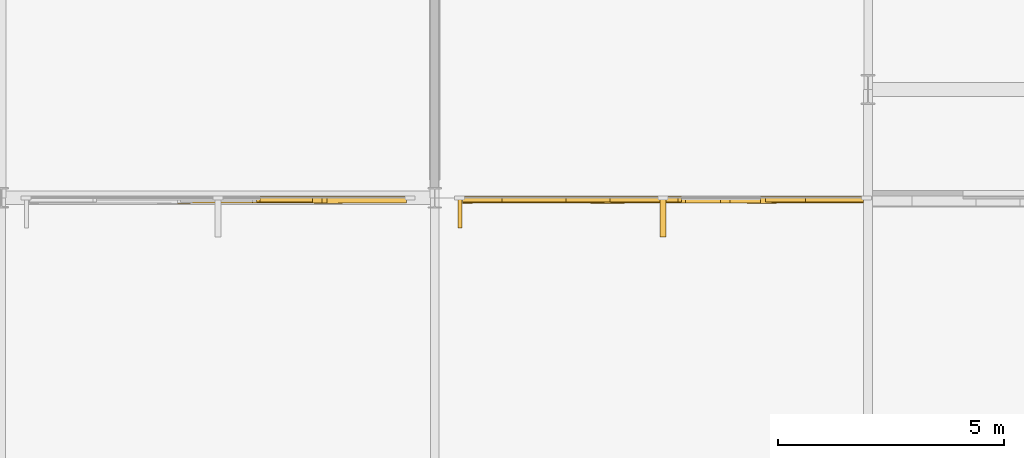
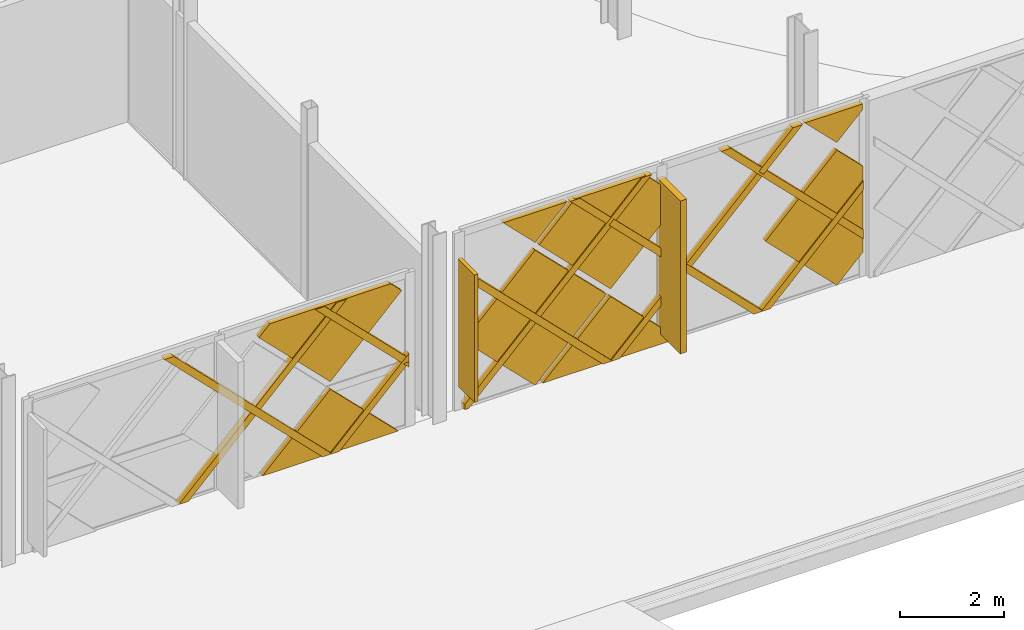
# One storey, part 82 of 101: 19 coverings, 1 shading device.
"""IFC4 building model written with IfcOpenShell, lengths in metres."""

from ifc_helpers import new_model, si_unit, direction, frame, origin, origin_2d, place, context, subcontext, project, spatial, polyline, rectangle, outline, extrude, material, layer, layer_set, type_object, element, save


model = new_model("IFC4")

# Units and contexts
model_context = context("Model", 3, precision=1e-05, world=origin(), true_north=direction((0.0, 1.0)))
body_context = subcontext(model_context, "Body", "Model", "MODEL_VIEW")
ifc_project = project(units=[si_unit("LENGTHUNIT", "METRE"), si_unit("AREAUNIT", "SQUARE_METRE"), si_unit("VOLUMEUNIT", "CUBIC_METRE"), si_unit("PLANEANGLEUNIT", "RADIAN"), si_unit("MASSUNIT", "GRAM", prefix="KILO")], contexts=[model_context])

# Site, building, storey
site_placement = place(None, origin())
site = spatial("IfcSite", under=ifc_project, at=site_placement, CompositionType="ELEMENT")
building_placement = place(site_placement, origin())
building = spatial("IfcBuilding", under=site, at=building_placement, Name="Zevrakil Square Congress Hotel", CompositionType="ELEMENT")
storey_placement = place(building_placement, frame((0.0, 0.0, 5.39990234375)))
storey = spatial("IfcBuildingStorey", under=building, at=storey_placement, Name="L02", CompositionType="ELEMENT", Elevation=5.39990234375)

# Coverings
ifc_material_1 = material(Name="Architectural White Fibre-C GRC", Category="concrete")
ifc_layer_1 = layer(ifc_material_1, 0.06494140625)
ifc_layer_set_1 = layer_set([ifc_layer_1], Name="Architectural White Fibre-C GRC")
covering_type_1 = type_object("IfcCoveringType", Name="COV-DIA-WHITE", PredefinedType="CLADDING", material=ifc_layer_set_1)
covering_1_placement = place(storey_placement, frame((115.239990234375, 7.10595703125, 1.590087890625), z_axis=(0.0, -0.999999790873, 0.000646725815), x_axis=(0.707106707249, -0.000457304257, -0.707106707249)))
element("IfcCovering", 1, at=covering_1_placement, inside=storey, type_object=covering_type_1, Name="L02 45-degree white GRC diamond facade cassette 202", PredefinedType="CLADDING", context=body_context, shape_type="SweptSolid", body=[
    extrude(outline(polyline([(0.0, 0.0), (2.1354765131557993, 0.0), (4.465861884739297e-07, -2.1354765131557527), (0.0, 0.0)])), origin(), (0.0, 0.0, -1.0), 0.1201171875),
])
covering_2_placement = place(storey_placement, frame((116.830078125, 7.10693359375, 3.360107421875), z_axis=(0.0, -0.999999832181, 0.000579342815), x_axis=(-0.707106746172, -0.000409657254, -0.707106697535)))
element("IfcCovering", 2, at=covering_2_placement, inside=storey, type_object=covering_type_1, Name="L02 45-degree white GRC diamond facade cassette 205", PredefinedType="CLADDING", context=body_context, shape_type="SweptSolid", body=[
    extrude(outline(polyline([(0.0, 0.0), (2.2487239716396576, -2.220446049250313e-16), (2.2487237489345504, -2.248723971639647), (1.9022482605454791, -2.248551391947205), (0.00017254537882177567, -0.3464754884061615), (0.0, 0.0)])), origin(), (0.0, 0.0, -1.0), 0.1201171875),
])
covering_3_placement = place(storey_placement, frame((121.47998046875, 7.10595703125, 1.590087890625), z_axis=(0.0, -0.999999790873, 0.000646725815), x_axis=(0.707106707249, -0.000457304257, -0.707106707249)))
element("IfcCovering", 3, at=covering_3_placement, inside=storey, type_object=covering_type_1, Name="L02 45-degree white GRC diamond facade cassette 225", PredefinedType="CLADDING", context=body_context, shape_type="SweptSolid", body=[
    extrude(outline(polyline([(0.0, 0.0), (2.1354765131557993, 0.0), (4.465861884739297e-07, -2.1354765131557527), (0.0, 0.0)])), origin(), (0.0, 0.0, -1.0), 0.1201171875),
])
covering_4_placement = place(storey_placement, frame((119.800048828125, 7.10693359375, 3.27001953125), z_axis=(0.0, -0.999999812555, 0.000612281941), x_axis=(0.707106714489, -0.000432948753, -0.707106715341)))
element("IfcCovering", 4, at=covering_4_placement, inside=storey, type_object=covering_type_1, Name="L02 45-degree white GRC diamond facade cassette 226", PredefinedType="CLADDING", context=body_context, shape_type="SweptSolid", body=[
    extrude(outline(polyline([(0.0, 0.0), (2.2483788053823686, 2.220446049250313e-16), (2.2485518630143098, -2.2485514388251864), (0.013983735657622232, -2.2485514362281265), (-0.00017220932723183147, -2.23439549391379), (0.0, 0.0)])), origin(), (0.0, 0.0, -1.0), 0.1201171875),
])
covering_5_placement = place(storey_placement, frame((126.52001953125, 7.10498046875, 0.090087890625), z_axis=(7.8878594e-05, -0.999999809309, 0.00061250345), x_axis=(-0.707106711163, 0.000377329813, 0.707106750534)))
element("IfcCovering", 5, at=covering_5_placement, inside=storey, type_object=covering_type_1, Name="L02 45-degree white GRC diamond facade cassette 227", PredefinedType="CLADDING", context=body_context, shape_type="SweptSolid", body=[
    extrude(outline(polyline([(0.0, 0.0), (2.2487240686890764, 2.220446049250313e-16), (2.2485518662933277, -2.248551435547972), (1.4326859514204437, -2.2485514894073853), (2.069559264517018e-07, -0.8158660220454685), (0.0, 0.0)])), origin(), (0.0, 0.0, -1.0), 0.1201171875),
])
covering_6_placement = place(storey_placement, frame((123.070068359375, 7.10693359375, 3.360107421875), z_axis=(0.0, -0.999999862226, 0.000524926144), x_axis=(-0.707106744411, -0.000371178855, -0.707106720541)))
element("IfcCovering", 6, at=covering_6_placement, inside=storey, type_object=covering_type_1, Name="L02 45-degree white GRC diamond facade cassette 228", PredefinedType="CLADDING", context=body_context, shape_type="SweptSolid", body=[
    extrude(outline(polyline([(0.0, 0.0), (2.2487239772390577, 2.220446049250313e-16), (2.2487237433351512, -2.2487239772390453), (1.1172837367417574, -2.248724021693268), (-1.621424050579634e-07, -1.1314400065933832), (0.0, 0.0)])), origin(), (0.0, 0.0, -1.0), 0.1201171875),
])
covering_7_placement = place(storey_placement, frame((119.800048828125, 7.107177734375, 3.4501953125), z_axis=(0.0, -0.999999940874, 0.000343878934), x_axis=(-0.707106760282, 0.000243159134, 0.707106760282)))
element("IfcCovering", 7, at=covering_7_placement, inside=storey, type_object=covering_type_1, Name="L02 45-degree white GRC diamond facade cassette 229", PredefinedType="CLADDING", context=body_context, shape_type="SweptSolid", body=[
    extrude(outline(polyline([(0.0, 0.0), (1.0040364162501292, 0.0), (5.936502278647282e-08, -1.0040364162501274), (0.0, 0.0)])), origin(), (0.0, 0.0, -1.0), 0.1201171875),
])
covering_8_placement = place(storey_placement, frame((126.52001953125, 7.107177734375, 3.4501953125), z_axis=(3.2799901e-05, -0.999999949146, 0.000317226198), x_axis=(-0.707106759528, 0.000201119772, 0.707106774243)))
element("IfcCovering", 8, at=covering_8_placement, inside=storey, type_object=covering_type_1, Name="L02 45-degree white GRC diamond facade cassette 230", PredefinedType="CLADDING", context=body_context, shape_type="SweptSolid", body=[
    extrude(outline(polyline([(0.0, 0.0), (1.0040364153629082, 1.1102230246251565e-16), (0.09408530953454114, -0.9099511605922328), (5.759058119281235e-08, -0.8158659162685458), (0.0, 0.0)])), origin(), (0.0, 0.0, -1.0), 0.1201171875),
])
ifc_material_2 = material(Name="Anodised Champagne Aluminium", Category="aluminium")
ifc_layer_2 = layer(ifc_material_2, 0.0849609375)
ifc_layer_set_2 = layer_set([ifc_layer_2], Name="Anodised Champagne Aluminium")
covering_type_2 = type_object("IfcCoveringType", Name="COV-DIAGRID-45", PredefinedType="MOLDING", material=ifc_layer_set_2)
covering_9_placement = place(storey_placement, frame((112.066162109375, 7.080078125, 0.080078125), z_axis=(0.0, -0.999999805714, 0.000623354914), x_axis=(-1.0, 0.0, 0.0)))
element("IfcCovering", 9, at=covering_9_placement, inside=storey, type_object=covering_type_2, Name="L02 45-degree aluminium diagrid rib 207", PredefinedType="MOLDING", context=body_context, shape_type="SweptSolid", body=[
    extrude(outline(polyline([(0.0, 0.0), (0.212158203125, 0.0), (-3.312744140625, -3.5249030285882292), (-3.52490234375, -3.5249030285882292), (0.0, 0.0)])), origin(), (0.0, 0.0, -1.0), 0.14501953125),
])
covering_10_placement = place(storey_placement, frame((115.426025390625, 7.080078125, 0.080078125), z_axis=(0.000294139249, -0.999999913482, 0.000294139249), x_axis=(-0.999999956741, -0.000294139237, 8.6518e-08)))
element("IfcCovering", 10, at=covering_10_placement, inside=storey, type_object=covering_type_2, Name="L02 45-degree aluminium diagrid rib 208", PredefinedType="MOLDING", context=body_context, shape_type="SweptSolid", body=[
    extrude(outline(polyline([(0.0, 0.0), (0.2121581939472589, 0.0), (-1.553955145347468, -1.7661134920951609), (-1.5539551637029505, -1.5539552981479028), (0.0, 0.0)])), origin(), (0.0, 0.0, -1.0), 0.14501953125),
])
covering_11_placement = place(storey_placement, frame((111.52880859375, 7.082275390625, 3.60498046875), z_axis=(0.0, -0.999999805714, 0.000623354914), x_axis=(1.0, 0.0, 0.0)))
element("IfcCovering", 11, at=covering_11_placement, inside=storey, type_object=covering_type_2, Name="L02 45-degree aluminium diagrid rib 210", PredefinedType="MOLDING", context=body_context, shape_type="SweptSolid", body=[
    extrude(outline(polyline([(0.0, 0.0), (0.21240234375, 0.0), (3.7373046875, -3.524903028588229), (3.525146484375, -3.524903028588229), (0.0, 0.0)])), origin(), (0.0, 0.0, -1.0), 0.14501953125),
])
covering_12_placement = place(storey_placement, frame((114.888916015625, 7.082275390625, 3.60498046875), z_axis=(0.000236587851, -0.999999555129, 0.000913108865), x_axis=(0.999999972013, 0.000236587752, -2.1603e-07)))
element("IfcCovering", 12, at=covering_12_placement, inside=storey, type_object=covering_type_2, Name="L02 45-degree aluminium diagrid rib 211", PredefinedType="MOLDING", context=body_context, shape_type="SweptSolid", body=[
    extrude(outline(polyline([(0.0, 0.0), (0.21215819718734832, -5.6157808774107894e-24), (2.091064511647426, -1.878662440825683), (2.091064499772122, -2.0910649189555177), (0.0, 0.0)])), origin(), (0.0, 0.0, -1.0), 0.14501953125),
])
covering_13_placement = place(storey_placement, frame((118.30615234375, 7.080078125, 0.080078125), z_axis=(0.000179545795, -0.999999893832, 0.000424380971), x_axis=(-0.999999983882, -0.000179545779, 7.6196e-08)))
element("IfcCovering", 13, at=covering_13_placement, inside=storey, type_object=covering_type_2, Name="L02 45-degree aluminium diagrid rib 231", PredefinedType="MOLDING", context=body_context, shape_type="SweptSolid", body=[
    extrude(outline(polyline([(0.0, 0.0), (0.08618163923589447, -1.1406045165281983e-24), (0.08618164885338447, -0.1262206917588748), (-3.8676758463687504, -4.080078793676924), (-4.079834046074112, -4.080078793676924), (0.0, 0.0)])), origin(), (0.0, 0.0, -1.0), 0.14501953125),
])
covering_14_placement = place(storey_placement, frame((121.666015625, 7.080078125, 0.080078125), z_axis=(0.0, -0.999999820975, 0.00059837232), x_axis=(-1.0, 0.0, 0.0)))
element("IfcCovering", 14, at=covering_14_placement, inside=storey, type_object=covering_type_2, Name="L02 45-degree aluminium diagrid rib 232", PredefinedType="MOLDING", context=body_context, shape_type="SweptSolid", body=[
    extrude(outline(polyline([(0.0, 0.0), (0.212158203125, 0.0), (-3.867919921875, -4.080078855435026), (-4.080078125, -4.080078855435026), (0.0, 0.0)])), origin(), (0.0, 0.0, -1.0), 0.14501953125),
])
covering_15_placement = place(storey_placement, frame((125.026123046875, 7.080078125, 0.080078125), z_axis=(0.000280532419, -0.999999921392, 0.000280209968), x_axis=(-0.999999960651, -0.000280532408, 7.8608e-08)))
element("IfcCovering", 15, at=covering_15_placement, inside=storey, type_object=covering_type_2, Name="L02 45-degree aluminium diagrid rib 233", PredefinedType="MOLDING", context=body_context, shape_type="SweptSolid", body=[
    extrude(outline(polyline([(0.0, 0.0), (0.2121581947767402, 0.0), (-2.0708008627343983, -2.2832033774173444), (-2.0708008794309185, -2.070801042006009), (0.0, 0.0)])), origin(), (0.0, 0.0, -1.0), 0.14501953125),
])
covering_16_placement = place(storey_placement, frame((118.219970703125, 7.081787109375, 3.154052734375), z_axis=(0.000287477056, -0.99999958606, 0.000863270454), x_axis=(8.2643e-08, 0.000863270513, 0.999999627382)))
element("IfcCovering", 16, at=covering_16_placement, inside=storey, type_object=covering_type_2, Name="L02 45-degree aluminium diagrid rib 234", PredefinedType="MOLDING", context=body_context, shape_type="SweptSolid", body=[
    extrude(outline(polyline([(0.0, 0.0), (0.21215833483042407, 1.3234889800848443e-23), (-3.0739746676964605, -3.286133202330571), (-3.073974685229852, -3.0739750079722734), (0.0, 0.0)])), origin(), (0.0, 0.0, -1.0), 0.14501953125),
])
covering_17_placement = place(storey_placement, frame((120.573974609375, 7.08251953125, 4.16015625), z_axis=(0.0, -0.999999820975, 0.00059837232), x_axis=(1.0, 0.0, 0.0)))
element("IfcCovering", 17, at=covering_17_placement, inside=storey, type_object=covering_type_2, Name="L02 45-degree aluminium diagrid rib 235", PredefinedType="MOLDING", context=body_context, shape_type="SweptSolid", body=[
    extrude(outline(polyline([(0.0, 0.0), (0.212158203125, 0.0), (4.292236328125, -4.080078855435026), (4.079833984375, -4.080078855435026), (0.0, 0.0)])), origin(), (0.0, 0.0, -1.0), 0.14501953125),
])
covering_18_placement = place(storey_placement, frame((123.933837890625, 7.08251953125, 4.16015625), z_axis=(0.000275888991, -0.999999579254, 0.000874858511), x_axis=(0.999999961943, 0.000275888885, -2.41364e-07)))
element("IfcCovering", 18, at=covering_18_placement, inside=storey, type_object=covering_type_2, Name="L02 45-degree aluminium diagrid rib 236", PredefinedType="MOLDING", context=body_context, shape_type="SweptSolid", body=[
    extrude(outline(polyline([(0.0, 0.0), (0.21215819505081712, 0.0), (3.163086057878732, -2.950928100207561), (3.1630860417303657, -3.1630864357305026), (0.0, 0.0)])), origin(), (0.0, 0.0, -1.0), 0.14501953125),
])
ifc_material_3 = material(Name="Architectural White Fibre-C GRC", Category="concrete")
ifc_layer_3 = layer(ifc_material_3, 0.139892578125)
ifc_layer_set_3 = layer_set([ifc_layer_3], Name="Architectural White Fibre-C GRC")
covering_type_3 = type_object("IfcCoveringType", Name="COV-FIN-GRC90", PredefinedType="MOLDING", material=ifc_layer_set_3)
covering_19_placement = place(storey_placement, frame((122.658447265625, 6.780029296875, 0.320068359375), z_axis=(0.0, 0.0, 1.0), x_axis=(0.0, -1.0, 0.0)))
element("IfcCovering", 19, at=covering_19_placement, inside=storey, type_object=covering_type_3, Name="L02 highland sun-breaker GRC fin 237", PredefinedType="MOLDING", context=body_context, shape_type="SweptSolid", body=[
    extrude(rectangle(XDim=0.89990234375, YDim=0.139892578125, at=origin_2d()), origin(), (0.0, 0.0, 1.0), 3.60009765625),
])

# Shading device
ifc_material_4 = material(Name="Aluminium Anodised Bronze", Category="aluminium")
shading_device_type = type_object("IfcShadingDeviceType", Name="SHD-FIN-65", PredefinedType="USERDEFINED", material=ifc_material_4)
shading_device_placement = place(storey_placement, frame((118.159912109375, 6.85498046875, 0.6201171875), z_axis=(0.0, 0.0, 1.0), x_axis=(0.0, -1.0, 0.0)))
element("IfcShadingDevice", 20, at=shading_device_placement, inside=storey, type_object=shading_device_type, Name="L02 aluminium solar shading fin 14", ObjectType="SOLAR FIN", PredefinedType="USERDEFINED", context=body_context, shape_type="SweptSolid", body=[
    extrude(rectangle(XDim=0.64990234375, YDim=0.080078125, at=origin_2d()), origin(), (0.0, 0.0, 1.0), 3.0),
])

save(model, "model.ifc")
